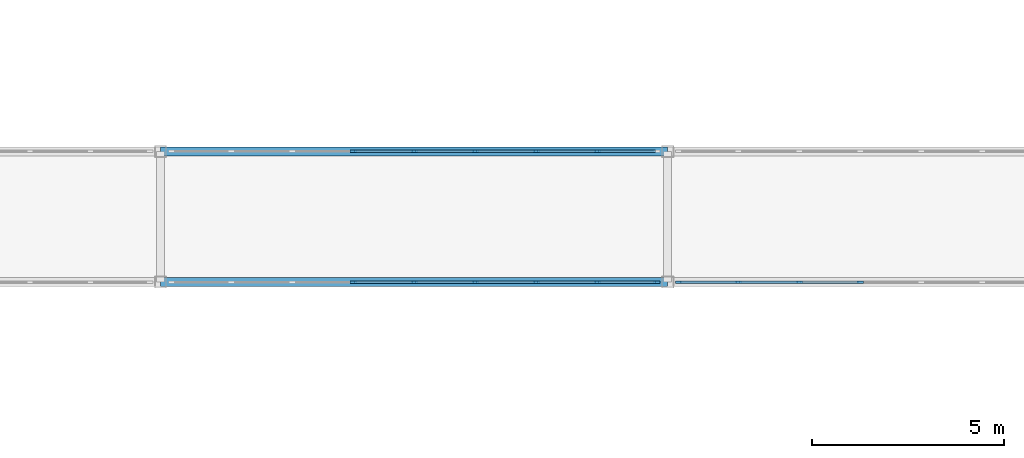
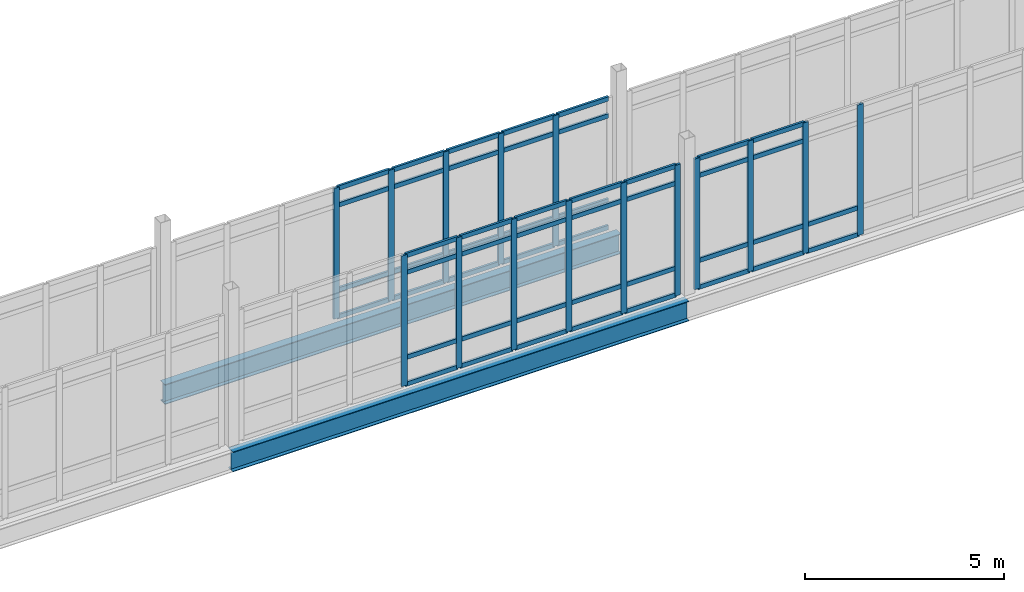
# One storey, part 15 of 101: 65 members, 2 beams, 3 elements without a shape of their own.
"""IFC4 building model written with IfcOpenShell, lengths in metres."""

from ifc_helpers import new_model, si_unit, direction, frame, origin, origin_2d, place, context, subcontext, project, spatial, rectangle, i_section, extrude, material, material_profile, profile_set, type_object, element, aggregate, save


model = new_model("IFC4")

# Units and contexts
model_context = context("Model", 3, precision=1e-05, world=origin(), true_north=direction((0.0, 1.0)))
body_context = subcontext(model_context, "Body", "Model", "MODEL_VIEW")
ifc_project = project(units=[si_unit("LENGTHUNIT", "METRE"), si_unit("AREAUNIT", "SQUARE_METRE"), si_unit("VOLUMEUNIT", "CUBIC_METRE"), si_unit("PLANEANGLEUNIT", "RADIAN"), si_unit("MASSUNIT", "GRAM", prefix="KILO")], contexts=[model_context])

# Site, building, storey
site_placement = place(None, origin())
site = spatial("IfcSite", under=ifc_project, at=site_placement, CompositionType="ELEMENT")
building_placement = place(site_placement, origin())
building = spatial("IfcBuilding", under=site, at=building_placement, Name="Dornvale Research Institute", CompositionType="ELEMENT")
storey_placement = place(building_placement, frame((0.0, 0.0, 10.199951171875)))
storey = spatial("IfcBuildingStorey", under=building, at=storey_placement, Name="L02", CompositionType="ELEMENT", Elevation=10.199951171875)

# Beams
ifc_material_1 = material(Name="Steel ASTM A992 Grade 50", Category="steel")
ifc_material_profile_1 = material_profile(ifc_material_1, i_section(OverallWidth=0.22900390625, OverallDepth=0.612060546875, WebThickness=0.011962890625, FlangeThickness=0.01953125, at=origin_2d()), Name="W24X84")
ifc_profile_set_1 = profile_set([ifc_material_profile_1], Name="Steel ASTM A992 Grade 50")
beam_type = type_object("IfcBeamType", Name="Beam_Steel_W24X84_Bridge", PredefinedType="BEAM", material=ifc_profile_set_1)
for number, where, z_axis, x_axis, name in (
    (1, (59.39990234375, 18.699951171875, -0.52587890625), (1.0, 0.0, 0.0), (0.0, 1.0, 0.0), "L02 BR-6 south girder #2026"),
    (2, (59.39990234375, 22.10009765625, -0.52587890625), (1.0, 0.0, 0.0), (0.0, 1.0, 0.0), "L02 BR-6 north girder #2026"),
):
    element("IfcBeam", number, at=place(storey_placement, frame(where, z_axis=z_axis, x_axis=x_axis)), inside=storey, type_object=beam_type, Name=name, PredefinedType="BEAM", context=body_context, shape_type="SweptSolid", body=[
        extrude(i_section(OverallWidth=0.22900390625, OverallDepth=0.612060546875, WebThickness=0.011962890625, FlangeThickness=0.01953125, at=origin_2d()), origin(), (0.0, 0.0, 1.0), 13.2001953125),
    ])

# Curtain wall, members
ifc_material_2 = material(Name="Low-E Argon Double Insulating Glazing Unit", Category="glass")
curtain_wall_type = type_object("IfcCurtainWallType", Name="UnitisedCurtainWall_V2_12700x4000", PredefinedType="USERDEFINED", material=ifc_material_2)
curtain_wall_1_placement = place(storey_placement, origin())
curtain_wall_1 = element("IfcCurtainWall", 3, at=curtain_wall_1_placement, inside=storey, type_object=curtain_wall_type, Name="L02 V2 unitised curtain wall CW-42 #225", ObjectType="UNITISED CURTAIN WALL", PredefinedType="USERDEFINED")
ifc_material_3 = material(Name="Anodized Aluminum AA 6063-T6 Thermally Broken Frame", Category="aluminium")
ifc_material_profile_2 = material_profile(ifc_material_3, rectangle(XDim=0.06494140625, YDim=0.1650390625, at=origin_2d()), Name="ALU MULLION 65x165")
ifc_profile_set_2 = profile_set([ifc_material_profile_2], Name="Anodized Aluminum AA 6063-T6 Thermally Broken Frame")
member_type_1 = type_object("IfcMemberType", Name="Mullion_Atrium_65x165", PredefinedType="MULLION", material=ifc_profile_set_2)
member_1_placement = place(storey_placement, frame((64.41259765625, 22.10009765625, 0.0), z_axis=(0.0, 0.0, 1.0), x_axis=(0.0, 1.0, 0.0)))
member_1 = element("IfcMember", 4, at=member_1_placement, type_object=member_type_1, Name="CW-42 mullion 4", PredefinedType="MULLION", context=body_context, shape_type="SweptSolid", body=[
    extrude(rectangle(XDim=0.06494140625, YDim=0.1650390625, at=origin_2d()), origin(), (0.0, 0.0, 1.0), 4.0),
])
member_2_placement = place(storey_placement, frame((66.0, 22.10009765625, 0.0), z_axis=(0.0, 0.0, 1.0), x_axis=(0.0, 1.0, 0.0)))
member_2 = element("IfcMember", 5, at=member_2_placement, type_object=member_type_1, Name="CW-42 mullion 5", PredefinedType="MULLION", context=body_context, shape_type="SweptSolid", body=[
    extrude(rectangle(XDim=0.06494140625, YDim=0.1650390625, at=origin_2d()), origin(), (0.0, 0.0, 1.0), 4.0),
])
member_3_placement = place(storey_placement, frame((67.58740234375, 22.10009765625, 0.0), z_axis=(0.0, 0.0, 1.0), x_axis=(0.0, 1.0, 0.0)))
member_3 = element("IfcMember", 6, at=member_3_placement, type_object=member_type_1, Name="CW-42 mullion 6", PredefinedType="MULLION", context=body_context, shape_type="SweptSolid", body=[
    extrude(rectangle(XDim=0.06494140625, YDim=0.1650390625, at=origin_2d()), origin(), (0.0, 0.0, 1.0), 4.0),
])
member_4_placement = place(storey_placement, frame((69.175048828125, 22.10009765625, 0.0), z_axis=(0.0, 0.0, 1.0), x_axis=(0.0, 1.0, 0.0)))
member_4 = element("IfcMember", 7, at=member_4_placement, type_object=member_type_1, Name="CW-42 mullion 7", PredefinedType="MULLION", context=body_context, shape_type="SweptSolid", body=[
    extrude(rectangle(XDim=0.06494140625, YDim=0.1650390625, at=origin_2d()), origin(), (0.0, 0.0, 1.0), 4.0),
])
member_5_placement = place(storey_placement, frame((70.762451171875, 22.10009765625, 0.0), z_axis=(0.0, 0.0, 1.0), x_axis=(0.0, 1.0, 0.0)))
member_5 = element("IfcMember", 8, at=member_5_placement, type_object=member_type_1, Name="CW-42 mullion 8", PredefinedType="MULLION", context=body_context, shape_type="SweptSolid", body=[
    extrude(rectangle(XDim=0.06494140625, YDim=0.1650390625, at=origin_2d()), origin(), (0.0, 0.0, 1.0), 4.0),
])

curtain_wall_2_placement = place(storey_placement, origin())
curtain_wall_2 = element("IfcCurtainWall", 9, at=curtain_wall_2_placement, inside=storey, type_object=curtain_wall_type, Name="L02 V2 unitised curtain wall CW-42 #226", ObjectType="UNITISED CURTAIN WALL", PredefinedType="USERDEFINED")
member_6_placement = place(storey_placement, frame((72.3173828125, 18.699951171875, 0.0), z_axis=(0.0, 0.0, 1.0), x_axis=(0.0, -1.0, 0.0)))
member_6 = element("IfcMember", 10, at=member_6_placement, type_object=member_type_1, Name="CW-42 mullion 1", PredefinedType="MULLION", context=body_context, shape_type="SweptSolid", body=[
    extrude(rectangle(XDim=0.06494140625, YDim=0.1650390625, at=origin_2d()), origin(), (0.0, 0.0, 1.0), 4.0),
])
member_7_placement = place(storey_placement, frame((70.762451171875, 18.699951171875, 0.0), z_axis=(0.0, 0.0, 1.0), x_axis=(0.0, -1.0, 0.0)))
member_7 = element("IfcMember", 11, at=member_7_placement, type_object=member_type_1, Name="CW-42 mullion 2", PredefinedType="MULLION", context=body_context, shape_type="SweptSolid", body=[
    extrude(rectangle(XDim=0.06494140625, YDim=0.1650390625, at=origin_2d()), origin(), (0.0, 0.0, 1.0), 4.0),
])
member_8_placement = place(storey_placement, frame((69.175048828125, 18.699951171875, 0.0), z_axis=(0.0, 0.0, 1.0), x_axis=(0.0, -1.0, 0.0)))
member_8 = element("IfcMember", 12, at=member_8_placement, type_object=member_type_1, Name="CW-42 mullion 3", PredefinedType="MULLION", context=body_context, shape_type="SweptSolid", body=[
    extrude(rectangle(XDim=0.06494140625, YDim=0.1650390625, at=origin_2d()), origin(), (0.0, 0.0, 1.0), 4.0),
])
member_9_placement = place(storey_placement, frame((67.58740234375, 18.699951171875, 0.0), z_axis=(0.0, 0.0, 1.0), x_axis=(0.0, -1.0, 0.0)))
member_9 = element("IfcMember", 13, at=member_9_placement, type_object=member_type_1, Name="CW-42 mullion 4", PredefinedType="MULLION", context=body_context, shape_type="SweptSolid", body=[
    extrude(rectangle(XDim=0.06494140625, YDim=0.1650390625, at=origin_2d()), origin(), (0.0, 0.0, 1.0), 4.0),
])
member_10_placement = place(storey_placement, frame((66.0, 18.699951171875, 0.0), z_axis=(0.0, 0.0, 1.0), x_axis=(0.0, -1.0, 0.0)))
member_10 = element("IfcMember", 14, at=member_10_placement, type_object=member_type_1, Name="CW-42 mullion 5", PredefinedType="MULLION", context=body_context, shape_type="SweptSolid", body=[
    extrude(rectangle(XDim=0.06494140625, YDim=0.1650390625, at=origin_2d()), origin(), (0.0, 0.0, 1.0), 4.0),
])
member_11_placement = place(storey_placement, frame((64.41259765625, 18.699951171875, 0.0), z_axis=(0.0, 0.0, 1.0), x_axis=(0.0, -1.0, 0.0)))
member_11 = element("IfcMember", 15, at=member_11_placement, type_object=member_type_1, Name="CW-42 mullion 6", PredefinedType="MULLION", context=body_context, shape_type="SweptSolid", body=[
    extrude(rectangle(XDim=0.06494140625, YDim=0.1650390625, at=origin_2d()), origin(), (0.0, 0.0, 1.0), 4.0),
])

curtain_wall_3_placement = place(storey_placement, origin())
curtain_wall_3 = element("IfcCurtainWall", 16, at=curtain_wall_3_placement, inside=storey, type_object=curtain_wall_type, Name="L02 V2 unitised curtain wall CW-42 #228", ObjectType="UNITISED CURTAIN WALL", PredefinedType="USERDEFINED")
member_12_placement = place(storey_placement, frame((77.612548828125, 18.699951171875, 0.0), z_axis=(0.0, 0.0, 1.0), x_axis=(0.0, -1.0, 0.0)))
member_12 = element("IfcMember", 17, at=member_12_placement, type_object=member_type_1, Name="CW-42 mullion 6", PredefinedType="MULLION", context=body_context, shape_type="SweptSolid", body=[
    extrude(rectangle(XDim=0.06494140625, YDim=0.1650390625, at=origin_2d()), origin(), (0.0, 0.0, 1.0), 4.0),
])
member_13_placement = place(storey_placement, frame((76.02490234375, 18.699951171875, 0.0), z_axis=(0.0, 0.0, 1.0), x_axis=(0.0, -1.0, 0.0)))
member_13 = element("IfcMember", 18, at=member_13_placement, type_object=member_type_1, Name="CW-42 mullion 7", PredefinedType="MULLION", context=body_context, shape_type="SweptSolid", body=[
    extrude(rectangle(XDim=0.06494140625, YDim=0.1650390625, at=origin_2d()), origin(), (0.0, 0.0, 1.0), 4.0),
])
member_14_placement = place(storey_placement, frame((74.4375, 18.699951171875, 0.0), z_axis=(0.0, 0.0, 1.0), x_axis=(0.0, -1.0, 0.0)))
member_14 = element("IfcMember", 19, at=member_14_placement, type_object=member_type_1, Name="CW-42 mullion 8", PredefinedType="MULLION", context=body_context, shape_type="SweptSolid", body=[
    extrude(rectangle(XDim=0.06494140625, YDim=0.1650390625, at=origin_2d()), origin(), (0.0, 0.0, 1.0), 4.0),
])
member_15_placement = place(storey_placement, frame((72.882568359375, 18.699951171875, 0.0), z_axis=(0.0, 0.0, 1.0), x_axis=(0.0, -1.0, 0.0)))
member_15 = element("IfcMember", 20, at=member_15_placement, type_object=member_type_1, Name="CW-42 mullion 9", PredefinedType="MULLION", context=body_context, shape_type="SweptSolid", body=[
    extrude(rectangle(XDim=0.06494140625, YDim=0.1650390625, at=origin_2d()), origin(), (0.0, 0.0, 1.0), 4.0),
])

# Member
ifc_material_4 = material(Name="Anodized Aluminum AA 6063-T6 Thermally Broken Frame", Category="aluminium")
ifc_material_profile_3 = material_profile(ifc_material_4, rectangle(XDim=0.06494140625, YDim=0.135009765625, at=origin_2d()), Name="ALU TRANSOM 65x135")
ifc_profile_set_3 = profile_set([ifc_material_profile_3], Name="Anodized Aluminum AA 6063-T6 Thermally Broken Frame")
member_type_2 = type_object("IfcMemberType", Name="Transom_CW_65x135", PredefinedType="USERDEFINED", material=ifc_profile_set_3)
member_16_placement = place(storey_placement, frame((64.445068359375, 22.10009765625, 0.032470703125), z_axis=(1.0, 0.0, 0.0), x_axis=(0.0, 1.0, 0.0)))
member_16 = element("IfcMember", 21, at=member_16_placement, type_object=member_type_2, Name="CW-42 transom 4.1", ObjectType="TRANSOM", PredefinedType="USERDEFINED", context=body_context, shape_type="SweptSolid", body=[
    extrude(rectangle(XDim=0.06494140625, YDim=0.135009765625, at=origin_2d()), origin(), (0.0, 0.0, 1.0), 1.5224609375),
])

member_17_placement = place(storey_placement, frame((64.445068359375, 22.10009765625, 0.85009765625), z_axis=(1.0, 0.0, 0.0), x_axis=(0.0, 1.0, 0.0)))
member_17 = element("IfcMember", 22, at=member_17_placement, type_object=member_type_2, Name="CW-42 transom 4.2", ObjectType="TRANSOM", PredefinedType="USERDEFINED", context=body_context, shape_type="SweptSolid", body=[
    extrude(rectangle(XDim=0.06494140625, YDim=0.135009765625, at=origin_2d()), origin(), (0.0, 0.0, 1.0), 1.5224609375),
])

member_18_placement = place(storey_placement, frame((64.445068359375, 22.10009765625, 3.449951171875), z_axis=(1.0, 0.0, 0.0), x_axis=(0.0, 1.0, 0.0)))
member_18 = element("IfcMember", 23, at=member_18_placement, type_object=member_type_2, Name="CW-42 transom 4.3", ObjectType="TRANSOM", PredefinedType="USERDEFINED", context=body_context, shape_type="SweptSolid", body=[
    extrude(rectangle(XDim=0.06494140625, YDim=0.135009765625, at=origin_2d()), origin(), (0.0, 0.0, 1.0), 1.5224609375),
])

member_19_placement = place(storey_placement, frame((64.445068359375, 22.10009765625, 3.967529296875), z_axis=(1.0, 0.0, 0.0), x_axis=(0.0, 1.0, 0.0)))
member_19 = element("IfcMember", 24, at=member_19_placement, type_object=member_type_2, Name="CW-42 transom 4.4", ObjectType="TRANSOM", PredefinedType="USERDEFINED", context=body_context, shape_type="SweptSolid", body=[
    extrude(rectangle(XDim=0.06494140625, YDim=0.135009765625, at=origin_2d()), origin(), (0.0, 0.0, 1.0), 1.5224609375),
])

member_20_placement = place(storey_placement, frame((66.032470703125, 22.10009765625, 0.032470703125), z_axis=(1.0, 0.0, 0.0), x_axis=(0.0, 1.0, 0.0)))
member_20 = element("IfcMember", 25, at=member_20_placement, type_object=member_type_2, Name="CW-42 transom 5.1", ObjectType="TRANSOM", PredefinedType="USERDEFINED", context=body_context, shape_type="SweptSolid", body=[
    extrude(rectangle(XDim=0.06494140625, YDim=0.135009765625, at=origin_2d()), origin(), (0.0, 0.0, 1.0), 1.5224609375),
])

member_21_placement = place(storey_placement, frame((66.032470703125, 22.10009765625, 0.85009765625), z_axis=(1.0, 0.0, 0.0), x_axis=(0.0, 1.0, 0.0)))
member_21 = element("IfcMember", 26, at=member_21_placement, type_object=member_type_2, Name="CW-42 transom 5.2", ObjectType="TRANSOM", PredefinedType="USERDEFINED", context=body_context, shape_type="SweptSolid", body=[
    extrude(rectangle(XDim=0.06494140625, YDim=0.135009765625, at=origin_2d()), origin(), (0.0, 0.0, 1.0), 1.5224609375),
])

member_22_placement = place(storey_placement, frame((66.032470703125, 22.10009765625, 3.449951171875), z_axis=(1.0, 0.0, 0.0), x_axis=(0.0, 1.0, 0.0)))
member_22 = element("IfcMember", 27, at=member_22_placement, type_object=member_type_2, Name="CW-42 transom 5.3", ObjectType="TRANSOM", PredefinedType="USERDEFINED", context=body_context, shape_type="SweptSolid", body=[
    extrude(rectangle(XDim=0.06494140625, YDim=0.135009765625, at=origin_2d()), origin(), (0.0, 0.0, 1.0), 1.5224609375),
])

member_23_placement = place(storey_placement, frame((66.032470703125, 22.10009765625, 3.967529296875), z_axis=(1.0, 0.0, 0.0), x_axis=(0.0, 1.0, 0.0)))
member_23 = element("IfcMember", 28, at=member_23_placement, type_object=member_type_2, Name="CW-42 transom 5.4", ObjectType="TRANSOM", PredefinedType="USERDEFINED", context=body_context, shape_type="SweptSolid", body=[
    extrude(rectangle(XDim=0.06494140625, YDim=0.135009765625, at=origin_2d()), origin(), (0.0, 0.0, 1.0), 1.5224609375),
])

member_24_placement = place(storey_placement, frame((67.6201171875, 22.10009765625, 0.032470703125), z_axis=(1.0, 0.0, 0.0), x_axis=(0.0, 1.0, 0.0)))
member_24 = element("IfcMember", 29, at=member_24_placement, type_object=member_type_2, Name="CW-42 transom 6.1", ObjectType="TRANSOM", PredefinedType="USERDEFINED", context=body_context, shape_type="SweptSolid", body=[
    extrude(rectangle(XDim=0.06494140625, YDim=0.135009765625, at=origin_2d()), origin(), (0.0, 0.0, 1.0), 1.5224609375),
])

member_25_placement = place(storey_placement, frame((67.6201171875, 22.10009765625, 0.85009765625), z_axis=(1.0, 0.0, 0.0), x_axis=(0.0, 1.0, 0.0)))
member_25 = element("IfcMember", 30, at=member_25_placement, type_object=member_type_2, Name="CW-42 transom 6.2", ObjectType="TRANSOM", PredefinedType="USERDEFINED", context=body_context, shape_type="SweptSolid", body=[
    extrude(rectangle(XDim=0.06494140625, YDim=0.135009765625, at=origin_2d()), origin(), (0.0, 0.0, 1.0), 1.5224609375),
])

member_26_placement = place(storey_placement, frame((67.6201171875, 22.10009765625, 3.449951171875), z_axis=(1.0, 0.0, 0.0), x_axis=(0.0, 1.0, 0.0)))
member_26 = element("IfcMember", 31, at=member_26_placement, type_object=member_type_2, Name="CW-42 transom 6.3", ObjectType="TRANSOM", PredefinedType="USERDEFINED", context=body_context, shape_type="SweptSolid", body=[
    extrude(rectangle(XDim=0.06494140625, YDim=0.135009765625, at=origin_2d()), origin(), (0.0, 0.0, 1.0), 1.5224609375),
])

member_27_placement = place(storey_placement, frame((67.6201171875, 22.10009765625, 3.967529296875), z_axis=(1.0, 0.0, 0.0), x_axis=(0.0, 1.0, 0.0)))
member_27 = element("IfcMember", 32, at=member_27_placement, type_object=member_type_2, Name="CW-42 transom 6.4", ObjectType="TRANSOM", PredefinedType="USERDEFINED", context=body_context, shape_type="SweptSolid", body=[
    extrude(rectangle(XDim=0.06494140625, YDim=0.135009765625, at=origin_2d()), origin(), (0.0, 0.0, 1.0), 1.5224609375),
])

member_28_placement = place(storey_placement, frame((69.20751953125, 22.10009765625, 0.032470703125), z_axis=(1.0, 0.0, 0.0), x_axis=(0.0, 1.0, 0.0)))
member_28 = element("IfcMember", 33, at=member_28_placement, type_object=member_type_2, Name="CW-42 transom 7.1", ObjectType="TRANSOM", PredefinedType="USERDEFINED", context=body_context, shape_type="SweptSolid", body=[
    extrude(rectangle(XDim=0.06494140625, YDim=0.135009765625, at=origin_2d()), origin(), (0.0, 0.0, 1.0), 1.5224609375),
])

member_29_placement = place(storey_placement, frame((69.20751953125, 22.10009765625, 0.85009765625), z_axis=(1.0, 0.0, 0.0), x_axis=(0.0, 1.0, 0.0)))
member_29 = element("IfcMember", 34, at=member_29_placement, type_object=member_type_2, Name="CW-42 transom 7.2", ObjectType="TRANSOM", PredefinedType="USERDEFINED", context=body_context, shape_type="SweptSolid", body=[
    extrude(rectangle(XDim=0.06494140625, YDim=0.135009765625, at=origin_2d()), origin(), (0.0, 0.0, 1.0), 1.5224609375),
])

member_30_placement = place(storey_placement, frame((69.20751953125, 22.10009765625, 3.449951171875), z_axis=(1.0, 0.0, 0.0), x_axis=(0.0, 1.0, 0.0)))
member_30 = element("IfcMember", 35, at=member_30_placement, type_object=member_type_2, Name="CW-42 transom 7.3", ObjectType="TRANSOM", PredefinedType="USERDEFINED", context=body_context, shape_type="SweptSolid", body=[
    extrude(rectangle(XDim=0.06494140625, YDim=0.135009765625, at=origin_2d()), origin(), (0.0, 0.0, 1.0), 1.5224609375),
])

member_31_placement = place(storey_placement, frame((69.20751953125, 22.10009765625, 3.967529296875), z_axis=(1.0, 0.0, 0.0), x_axis=(0.0, 1.0, 0.0)))
member_31 = element("IfcMember", 36, at=member_31_placement, type_object=member_type_2, Name="CW-42 transom 7.4", ObjectType="TRANSOM", PredefinedType="USERDEFINED", context=body_context, shape_type="SweptSolid", body=[
    extrude(rectangle(XDim=0.06494140625, YDim=0.135009765625, at=origin_2d()), origin(), (0.0, 0.0, 1.0), 1.5224609375),
])

member_32_placement = place(storey_placement, frame((70.794921875, 22.10009765625, 0.032470703125), z_axis=(1.0, 0.0, 0.0), x_axis=(0.0, 1.0, 0.0)))
member_32 = element("IfcMember", 37, at=member_32_placement, type_object=member_type_2, Name="CW-42 transom 8.1", ObjectType="TRANSOM", PredefinedType="USERDEFINED", context=body_context, shape_type="SweptSolid", body=[
    extrude(rectangle(XDim=0.06494140625, YDim=0.135009765625, at=origin_2d()), origin(), (0.0, 0.0, 1.0), 1.489990234375),
])

member_33_placement = place(storey_placement, frame((70.794921875, 22.10009765625, 0.85009765625), z_axis=(1.0, 0.0, 0.0), x_axis=(0.0, 1.0, 0.0)))
member_33 = element("IfcMember", 38, at=member_33_placement, type_object=member_type_2, Name="CW-42 transom 8.2", ObjectType="TRANSOM", PredefinedType="USERDEFINED", context=body_context, shape_type="SweptSolid", body=[
    extrude(rectangle(XDim=0.06494140625, YDim=0.135009765625, at=origin_2d()), origin(), (0.0, 0.0, 1.0), 1.489990234375),
])

member_34_placement = place(storey_placement, frame((70.794921875, 22.10009765625, 3.449951171875), z_axis=(1.0, 0.0, 0.0), x_axis=(0.0, 1.0, 0.0)))
member_34 = element("IfcMember", 39, at=member_34_placement, type_object=member_type_2, Name="CW-42 transom 8.3", ObjectType="TRANSOM", PredefinedType="USERDEFINED", context=body_context, shape_type="SweptSolid", body=[
    extrude(rectangle(XDim=0.06494140625, YDim=0.135009765625, at=origin_2d()), origin(), (0.0, 0.0, 1.0), 1.489990234375),
])

member_35_placement = place(storey_placement, frame((70.794921875, 22.10009765625, 3.967529296875), z_axis=(1.0, 0.0, 0.0), x_axis=(0.0, 1.0, 0.0)))
member_35 = element("IfcMember", 40, at=member_35_placement, type_object=member_type_2, Name="CW-42 transom 8.4", ObjectType="TRANSOM", PredefinedType="USERDEFINED", context=body_context, shape_type="SweptSolid", body=[
    extrude(rectangle(XDim=0.06494140625, YDim=0.135009765625, at=origin_2d()), origin(), (0.0, 0.0, 1.0), 1.489990234375),
])

aggregate(curtain_wall_1, [member_1, member_2, member_3, member_4, member_5, member_16, member_17, member_18, member_19, member_20, member_21, member_22, member_23, member_24, member_25, member_26, member_27, member_28, member_29, member_30, member_31, member_32, member_33, member_34, member_35])

member_36_placement = place(storey_placement, frame((72.284912109375, 18.699951171875, 0.032470703125), z_axis=(-1.0, 0.0, 0.0), x_axis=(0.0, -1.0, 0.0)))
member_36 = element("IfcMember", 41, at=member_36_placement, type_object=member_type_2, Name="CW-42 transom 1.1", ObjectType="TRANSOM", PredefinedType="USERDEFINED", context=body_context, shape_type="SweptSolid", body=[
    extrude(rectangle(XDim=0.06494140625, YDim=0.135009765625, at=origin_2d()), origin(), (0.0, 0.0, 1.0), 1.489990234375),
])

member_37_placement = place(storey_placement, frame((72.284912109375, 18.699951171875, 0.85009765625), z_axis=(-1.0, 0.0, 0.0), x_axis=(0.0, -1.0, 0.0)))
member_37 = element("IfcMember", 42, at=member_37_placement, type_object=member_type_2, Name="CW-42 transom 1.2", ObjectType="TRANSOM", PredefinedType="USERDEFINED", context=body_context, shape_type="SweptSolid", body=[
    extrude(rectangle(XDim=0.06494140625, YDim=0.135009765625, at=origin_2d()), origin(), (0.0, 0.0, 1.0), 1.489990234375),
])

member_38_placement = place(storey_placement, frame((72.284912109375, 18.699951171875, 3.449951171875), z_axis=(-1.0, 0.0, 0.0), x_axis=(0.0, -1.0, 0.0)))
member_38 = element("IfcMember", 43, at=member_38_placement, type_object=member_type_2, Name="CW-42 transom 1.3", ObjectType="TRANSOM", PredefinedType="USERDEFINED", context=body_context, shape_type="SweptSolid", body=[
    extrude(rectangle(XDim=0.06494140625, YDim=0.135009765625, at=origin_2d()), origin(), (0.0, 0.0, 1.0), 1.489990234375),
])

member_39_placement = place(storey_placement, frame((72.284912109375, 18.699951171875, 3.967529296875), z_axis=(-1.0, 0.0, 0.0), x_axis=(0.0, -1.0, 0.0)))
member_39 = element("IfcMember", 44, at=member_39_placement, type_object=member_type_2, Name="CW-42 transom 1.4", ObjectType="TRANSOM", PredefinedType="USERDEFINED", context=body_context, shape_type="SweptSolid", body=[
    extrude(rectangle(XDim=0.06494140625, YDim=0.135009765625, at=origin_2d()), origin(), (0.0, 0.0, 1.0), 1.489990234375),
])

member_40_placement = place(storey_placement, frame((70.72998046875, 18.699951171875, 0.032470703125), z_axis=(-1.0, 0.0, 0.0), x_axis=(0.0, -1.0, 0.0)))
member_40 = element("IfcMember", 45, at=member_40_placement, type_object=member_type_2, Name="CW-42 transom 2.1", ObjectType="TRANSOM", PredefinedType="USERDEFINED", context=body_context, shape_type="SweptSolid", body=[
    extrude(rectangle(XDim=0.06494140625, YDim=0.135009765625, at=origin_2d()), origin(), (0.0, 0.0, 1.0), 1.5224609375),
])

member_41_placement = place(storey_placement, frame((70.72998046875, 18.699951171875, 0.85009765625), z_axis=(-1.0, 0.0, 0.0), x_axis=(0.0, -1.0, 0.0)))
member_41 = element("IfcMember", 46, at=member_41_placement, type_object=member_type_2, Name="CW-42 transom 2.2", ObjectType="TRANSOM", PredefinedType="USERDEFINED", context=body_context, shape_type="SweptSolid", body=[
    extrude(rectangle(XDim=0.06494140625, YDim=0.135009765625, at=origin_2d()), origin(), (0.0, 0.0, 1.0), 1.5224609375),
])

member_42_placement = place(storey_placement, frame((70.72998046875, 18.699951171875, 3.449951171875), z_axis=(-1.0, 0.0, 0.0), x_axis=(0.0, -1.0, 0.0)))
member_42 = element("IfcMember", 47, at=member_42_placement, type_object=member_type_2, Name="CW-42 transom 2.3", ObjectType="TRANSOM", PredefinedType="USERDEFINED", context=body_context, shape_type="SweptSolid", body=[
    extrude(rectangle(XDim=0.06494140625, YDim=0.135009765625, at=origin_2d()), origin(), (0.0, 0.0, 1.0), 1.5224609375),
])

member_43_placement = place(storey_placement, frame((70.72998046875, 18.699951171875, 3.967529296875), z_axis=(-1.0, 0.0, 0.0), x_axis=(0.0, -1.0, 0.0)))
member_43 = element("IfcMember", 48, at=member_43_placement, type_object=member_type_2, Name="CW-42 transom 2.4", ObjectType="TRANSOM", PredefinedType="USERDEFINED", context=body_context, shape_type="SweptSolid", body=[
    extrude(rectangle(XDim=0.06494140625, YDim=0.135009765625, at=origin_2d()), origin(), (0.0, 0.0, 1.0), 1.5224609375),
])

member_44_placement = place(storey_placement, frame((69.142578125, 18.699951171875, 0.032470703125), z_axis=(-1.0, 0.0, 0.0), x_axis=(0.0, -1.0, 0.0)))
member_44 = element("IfcMember", 49, at=member_44_placement, type_object=member_type_2, Name="CW-42 transom 3.1", ObjectType="TRANSOM", PredefinedType="USERDEFINED", context=body_context, shape_type="SweptSolid", body=[
    extrude(rectangle(XDim=0.06494140625, YDim=0.135009765625, at=origin_2d()), origin(), (0.0, 0.0, 1.0), 1.5224609375),
])

member_45_placement = place(storey_placement, frame((69.142578125, 18.699951171875, 0.85009765625), z_axis=(-1.0, 0.0, 0.0), x_axis=(0.0, -1.0, 0.0)))
member_45 = element("IfcMember", 50, at=member_45_placement, type_object=member_type_2, Name="CW-42 transom 3.2", ObjectType="TRANSOM", PredefinedType="USERDEFINED", context=body_context, shape_type="SweptSolid", body=[
    extrude(rectangle(XDim=0.06494140625, YDim=0.135009765625, at=origin_2d()), origin(), (0.0, 0.0, 1.0), 1.5224609375),
])

member_46_placement = place(storey_placement, frame((69.142578125, 18.699951171875, 3.449951171875), z_axis=(-1.0, 0.0, 0.0), x_axis=(0.0, -1.0, 0.0)))
member_46 = element("IfcMember", 51, at=member_46_placement, type_object=member_type_2, Name="CW-42 transom 3.3", ObjectType="TRANSOM", PredefinedType="USERDEFINED", context=body_context, shape_type="SweptSolid", body=[
    extrude(rectangle(XDim=0.06494140625, YDim=0.135009765625, at=origin_2d()), origin(), (0.0, 0.0, 1.0), 1.5224609375),
])

member_47_placement = place(storey_placement, frame((69.142578125, 18.699951171875, 3.967529296875), z_axis=(-1.0, 0.0, 0.0), x_axis=(0.0, -1.0, 0.0)))
member_47 = element("IfcMember", 52, at=member_47_placement, type_object=member_type_2, Name="CW-42 transom 3.4", ObjectType="TRANSOM", PredefinedType="USERDEFINED", context=body_context, shape_type="SweptSolid", body=[
    extrude(rectangle(XDim=0.06494140625, YDim=0.135009765625, at=origin_2d()), origin(), (0.0, 0.0, 1.0), 1.5224609375),
])

member_48_placement = place(storey_placement, frame((67.554931640625, 18.699951171875, 0.032470703125), z_axis=(-1.0, 0.0, 0.0), x_axis=(0.0, -1.0, 0.0)))
member_48 = element("IfcMember", 53, at=member_48_placement, type_object=member_type_2, Name="CW-42 transom 4.1", ObjectType="TRANSOM", PredefinedType="USERDEFINED", context=body_context, shape_type="SweptSolid", body=[
    extrude(rectangle(XDim=0.06494140625, YDim=0.135009765625, at=origin_2d()), origin(), (0.0, 0.0, 1.0), 1.5224609375),
])

member_49_placement = place(storey_placement, frame((67.554931640625, 18.699951171875, 0.85009765625), z_axis=(-1.0, 0.0, 0.0), x_axis=(0.0, -1.0, 0.0)))
member_49 = element("IfcMember", 54, at=member_49_placement, type_object=member_type_2, Name="CW-42 transom 4.2", ObjectType="TRANSOM", PredefinedType="USERDEFINED", context=body_context, shape_type="SweptSolid", body=[
    extrude(rectangle(XDim=0.06494140625, YDim=0.135009765625, at=origin_2d()), origin(), (0.0, 0.0, 1.0), 1.5224609375),
])

member_50_placement = place(storey_placement, frame((67.554931640625, 18.699951171875, 3.449951171875), z_axis=(-1.0, 0.0, 0.0), x_axis=(0.0, -1.0, 0.0)))
member_50 = element("IfcMember", 55, at=member_50_placement, type_object=member_type_2, Name="CW-42 transom 4.3", ObjectType="TRANSOM", PredefinedType="USERDEFINED", context=body_context, shape_type="SweptSolid", body=[
    extrude(rectangle(XDim=0.06494140625, YDim=0.135009765625, at=origin_2d()), origin(), (0.0, 0.0, 1.0), 1.5224609375),
])

member_51_placement = place(storey_placement, frame((67.554931640625, 18.699951171875, 3.967529296875), z_axis=(-1.0, 0.0, 0.0), x_axis=(0.0, -1.0, 0.0)))
member_51 = element("IfcMember", 56, at=member_51_placement, type_object=member_type_2, Name="CW-42 transom 4.4", ObjectType="TRANSOM", PredefinedType="USERDEFINED", context=body_context, shape_type="SweptSolid", body=[
    extrude(rectangle(XDim=0.06494140625, YDim=0.135009765625, at=origin_2d()), origin(), (0.0, 0.0, 1.0), 1.5224609375),
])

member_52_placement = place(storey_placement, frame((65.967529296875, 18.699951171875, 0.032470703125), z_axis=(-1.0, 0.0, 0.0), x_axis=(0.0, -1.0, 0.0)))
member_52 = element("IfcMember", 57, at=member_52_placement, type_object=member_type_2, Name="CW-42 transom 5.1", ObjectType="TRANSOM", PredefinedType="USERDEFINED", context=body_context, shape_type="SweptSolid", body=[
    extrude(rectangle(XDim=0.06494140625, YDim=0.135009765625, at=origin_2d()), origin(), (0.0, 0.0, 1.0), 1.5224609375),
])

member_53_placement = place(storey_placement, frame((65.967529296875, 18.699951171875, 0.85009765625), z_axis=(-1.0, 0.0, 0.0), x_axis=(0.0, -1.0, 0.0)))
member_53 = element("IfcMember", 58, at=member_53_placement, type_object=member_type_2, Name="CW-42 transom 5.2", ObjectType="TRANSOM", PredefinedType="USERDEFINED", context=body_context, shape_type="SweptSolid", body=[
    extrude(rectangle(XDim=0.06494140625, YDim=0.135009765625, at=origin_2d()), origin(), (0.0, 0.0, 1.0), 1.5224609375),
])

member_54_placement = place(storey_placement, frame((65.967529296875, 18.699951171875, 3.449951171875), z_axis=(-1.0, 0.0, 0.0), x_axis=(0.0, -1.0, 0.0)))
member_54 = element("IfcMember", 59, at=member_54_placement, type_object=member_type_2, Name="CW-42 transom 5.3", ObjectType="TRANSOM", PredefinedType="USERDEFINED", context=body_context, shape_type="SweptSolid", body=[
    extrude(rectangle(XDim=0.06494140625, YDim=0.135009765625, at=origin_2d()), origin(), (0.0, 0.0, 1.0), 1.5224609375),
])

member_55_placement = place(storey_placement, frame((65.967529296875, 18.699951171875, 3.967529296875), z_axis=(-1.0, 0.0, 0.0), x_axis=(0.0, -1.0, 0.0)))
member_55 = element("IfcMember", 60, at=member_55_placement, type_object=member_type_2, Name="CW-42 transom 5.4", ObjectType="TRANSOM", PredefinedType="USERDEFINED", context=body_context, shape_type="SweptSolid", body=[
    extrude(rectangle(XDim=0.06494140625, YDim=0.135009765625, at=origin_2d()), origin(), (0.0, 0.0, 1.0), 1.5224609375),
])

aggregate(curtain_wall_2, [member_6, member_7, member_8, member_9, member_10, member_11, member_36, member_37, member_38, member_39, member_40, member_41, member_42, member_43, member_44, member_45, member_46, member_47, member_48, member_49, member_50, member_51, member_52, member_53, member_54, member_55])

member_56_placement = place(storey_placement, frame((77.580078125, 18.699951171875, 0.032470703125), z_axis=(-1.0, 0.0, 0.0), x_axis=(0.0, -1.0, 0.0)))
member_56 = element("IfcMember", 61, at=member_56_placement, type_object=member_type_2, Name="CW-42 transom 6.1", ObjectType="TRANSOM", PredefinedType="USERDEFINED", context=body_context, shape_type="SweptSolid", body=[
    extrude(rectangle(XDim=0.06494140625, YDim=0.135009765625, at=origin_2d()), origin(), (0.0, 0.0, 1.0), 1.5224609375),
])

member_57_placement = place(storey_placement, frame((77.580078125, 18.699951171875, 0.85009765625), z_axis=(-1.0, 0.0, 0.0), x_axis=(0.0, -1.0, 0.0)))
member_57 = element("IfcMember", 62, at=member_57_placement, type_object=member_type_2, Name="CW-42 transom 6.2", ObjectType="TRANSOM", PredefinedType="USERDEFINED", context=body_context, shape_type="SweptSolid", body=[
    extrude(rectangle(XDim=0.06494140625, YDim=0.135009765625, at=origin_2d()), origin(), (0.0, 0.0, 1.0), 1.5224609375),
])

member_58_placement = place(storey_placement, frame((75.992431640625, 18.699951171875, 0.032470703125), z_axis=(-1.0, 0.0, 0.0), x_axis=(0.0, -1.0, 0.0)))
member_58 = element("IfcMember", 63, at=member_58_placement, type_object=member_type_2, Name="CW-42 transom 7.1", ObjectType="TRANSOM", PredefinedType="USERDEFINED", context=body_context, shape_type="SweptSolid", body=[
    extrude(rectangle(XDim=0.06494140625, YDim=0.135009765625, at=origin_2d()), origin(), (0.0, 0.0, 1.0), 1.5224609375),
])

member_59_placement = place(storey_placement, frame((75.992431640625, 18.699951171875, 0.85009765625), z_axis=(-1.0, 0.0, 0.0), x_axis=(0.0, -1.0, 0.0)))
member_59 = element("IfcMember", 64, at=member_59_placement, type_object=member_type_2, Name="CW-42 transom 7.2", ObjectType="TRANSOM", PredefinedType="USERDEFINED", context=body_context, shape_type="SweptSolid", body=[
    extrude(rectangle(XDim=0.06494140625, YDim=0.135009765625, at=origin_2d()), origin(), (0.0, 0.0, 1.0), 1.5224609375),
])

member_60_placement = place(storey_placement, frame((75.992431640625, 18.699951171875, 3.449951171875), z_axis=(-1.0, 0.0, 0.0), x_axis=(0.0, -1.0, 0.0)))
member_60 = element("IfcMember", 65, at=member_60_placement, type_object=member_type_2, Name="CW-42 transom 7.3", ObjectType="TRANSOM", PredefinedType="USERDEFINED", context=body_context, shape_type="SweptSolid", body=[
    extrude(rectangle(XDim=0.06494140625, YDim=0.135009765625, at=origin_2d()), origin(), (0.0, 0.0, 1.0), 1.5224609375),
])

member_61_placement = place(storey_placement, frame((75.992431640625, 18.699951171875, 3.967529296875), z_axis=(-1.0, 0.0, 0.0), x_axis=(0.0, -1.0, 0.0)))
member_61 = element("IfcMember", 66, at=member_61_placement, type_object=member_type_2, Name="CW-42 transom 7.4", ObjectType="TRANSOM", PredefinedType="USERDEFINED", context=body_context, shape_type="SweptSolid", body=[
    extrude(rectangle(XDim=0.06494140625, YDim=0.135009765625, at=origin_2d()), origin(), (0.0, 0.0, 1.0), 1.5224609375),
])

member_62_placement = place(storey_placement, frame((74.405029296875, 18.699951171875, 0.032470703125), z_axis=(-1.0, 0.0, 0.0), x_axis=(0.0, -1.0, 0.0)))
member_62 = element("IfcMember", 67, at=member_62_placement, type_object=member_type_2, Name="CW-42 transom 8.1", ObjectType="TRANSOM", PredefinedType="USERDEFINED", context=body_context, shape_type="SweptSolid", body=[
    extrude(rectangle(XDim=0.06494140625, YDim=0.135009765625, at=origin_2d()), origin(), (0.0, 0.0, 1.0), 1.489990234375),
])

member_63_placement = place(storey_placement, frame((74.405029296875, 18.699951171875, 0.85009765625), z_axis=(-1.0, 0.0, 0.0), x_axis=(0.0, -1.0, 0.0)))
member_63 = element("IfcMember", 68, at=member_63_placement, type_object=member_type_2, Name="CW-42 transom 8.2", ObjectType="TRANSOM", PredefinedType="USERDEFINED", context=body_context, shape_type="SweptSolid", body=[
    extrude(rectangle(XDim=0.06494140625, YDim=0.135009765625, at=origin_2d()), origin(), (0.0, 0.0, 1.0), 1.489990234375),
])

member_64_placement = place(storey_placement, frame((74.405029296875, 18.699951171875, 3.449951171875), z_axis=(-1.0, 0.0, 0.0), x_axis=(0.0, -1.0, 0.0)))
member_64 = element("IfcMember", 69, at=member_64_placement, type_object=member_type_2, Name="CW-42 transom 8.3", ObjectType="TRANSOM", PredefinedType="USERDEFINED", context=body_context, shape_type="SweptSolid", body=[
    extrude(rectangle(XDim=0.06494140625, YDim=0.135009765625, at=origin_2d()), origin(), (0.0, 0.0, 1.0), 1.489990234375),
])

member_65_placement = place(storey_placement, frame((74.405029296875, 18.699951171875, 3.967529296875), z_axis=(-1.0, 0.0, 0.0), x_axis=(0.0, -1.0, 0.0)))
member_65 = element("IfcMember", 70, at=member_65_placement, type_object=member_type_2, Name="CW-42 transom 8.4", ObjectType="TRANSOM", PredefinedType="USERDEFINED", context=body_context, shape_type="SweptSolid", body=[
    extrude(rectangle(XDim=0.06494140625, YDim=0.135009765625, at=origin_2d()), origin(), (0.0, 0.0, 1.0), 1.489990234375),
])

aggregate(curtain_wall_3, [member_12, member_13, member_14, member_15, member_56, member_57, member_58, member_59, member_60, member_61, member_62, member_63, member_64, member_65])

save(model, "model.ifc")
